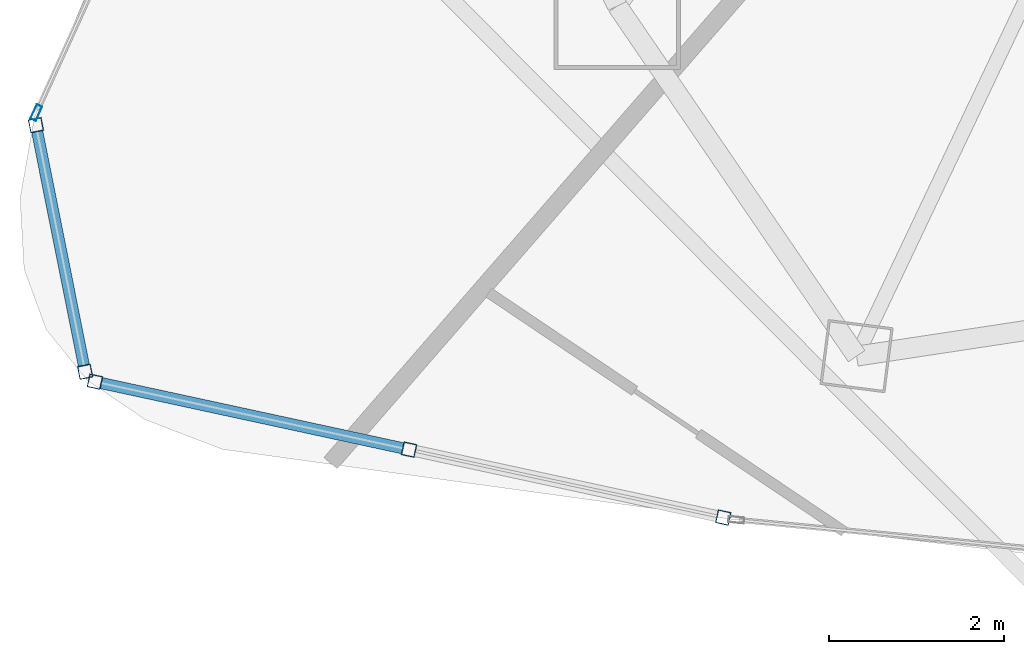
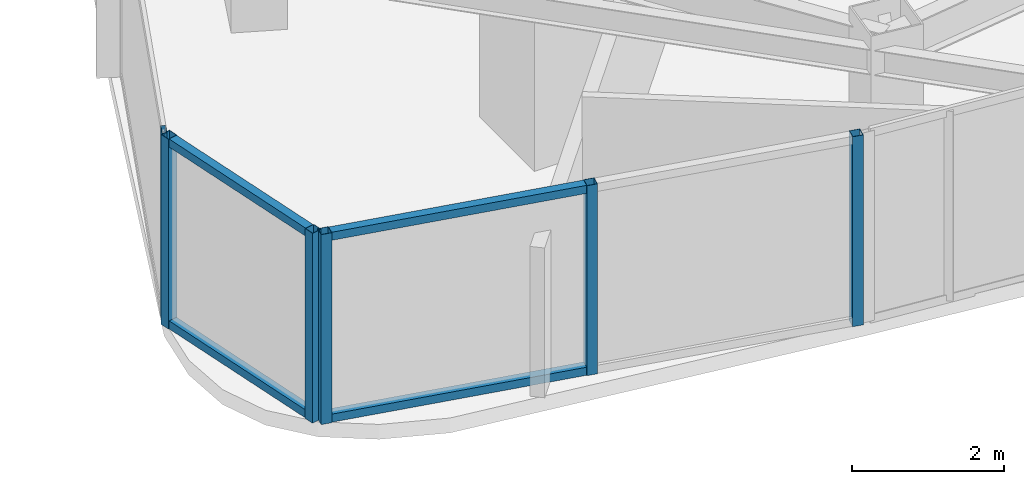
# One storey, part 2 of 30: 10 members, 3 elements without a shape of their own.
"""IFC4 building model written with IfcOpenShell, lengths in metres."""

from ifc_helpers import new_model, si_unit, direction, frame, origin, origin_2d, place, context, subcontext, project, spatial, hollow_rectangle, extrude, material, layer, layer_set, material_profile, profile_set, type_object, element, aggregate, save


model = new_model("IFC4")

# Units and contexts
model_context = context("Model", 3, precision=1e-05, world=origin(), true_north=direction((0.0, 1.0)))
body_context = subcontext(model_context, "Body", "Model", "MODEL_VIEW")
ifc_project = project(units=[si_unit("LENGTHUNIT", "METRE"), si_unit("AREAUNIT", "SQUARE_METRE"), si_unit("VOLUMEUNIT", "CUBIC_METRE"), si_unit("PLANEANGLEUNIT", "RADIAN"), si_unit("MASSUNIT", "GRAM", prefix="KILO")], contexts=[model_context])

# Site, building, storey
site_placement = place(None, origin())
site = spatial("IfcSite", under=ifc_project, at=site_placement, CompositionType="ELEMENT")
building_placement = place(site_placement, origin())
building = spatial("IfcBuilding", under=site, at=building_placement, Name="Orvanel Arch Residences", CompositionType="ELEMENT")
storey_placement = place(building_placement, frame((0.0, 0.0, 136.39990234375)))
storey = spatial("IfcBuildingStorey", under=building, at=storey_placement, Name="L38", CompositionType="ELEMENT", Elevation=136.39990234375)

# Curtain wall, members
ifc_material = material(Name="Bronze-anodised aluminium AA6063-T6", Category="aluminium")
ifc_layer_1 = layer(ifc_material, 0.18994140625)
ifc_layer_set_1 = layer_set([ifc_layer_1], Name="Bronze-anodised aluminium AA6063-T6")
curtain_wall_type_1 = type_object("IfcCurtainWallType", Name="CW5-CRN-SYS", PredefinedType="NOTDEFINED", material=ifc_layer_set_1)
curtain_wall_1_placement = place(storey_placement, origin())
curtain_wall_1 = element("IfcCurtainWall", 1, at=curtain_wall_1_placement, inside=storey, type_object=curtain_wall_type_1, Name="L38 CW5-CRN-SYS Unitised Curtain Wall", PredefinedType="NOTDEFINED")
ifc_material_profile_1 = material_profile(ifc_material, hollow_rectangle(XDim=0.14990234375, YDim=0.14990234375, WallThickness=0.0048828125, at=origin_2d()), Name="ALU150x150x5")
ifc_profile_set_1 = profile_set([ifc_material_profile_1], Name="Bronze-anodised aluminium AA6063-T6")
member_type_1 = type_object("IfcMemberType", Name="MUL-150x150", PredefinedType="MULLION", material=ifc_profile_set_1)
member_1_placement = place(storey_placement, frame((7.53759765625, 8.9853515625, 0.0), z_axis=(0.0, 0.0, 1.0), x_axis=(0.980682040612, 0.195608627675, 0.0)))
member_1 = element("IfcMember", 2, at=member_1_placement, type_object=member_type_1, Name="CW-S5 mullion 1", PredefinedType="MULLION", context=body_context, shape_type="SweptSolid", body=[
    extrude(hollow_rectangle(XDim=0.14990234375, YDim=0.14990234375, WallThickness=0.0048828125, at=origin_2d()), origin(), (0.0, 0.0, 1.0), 3.06005859375),
])
member_2_placement = place(storey_placement, frame((8.101318359375, 6.15966796875, 0.0), z_axis=(0.0, 0.0, 1.0), x_axis=(0.980682040612, 0.195608627675, 0.0)))
member_2 = element("IfcMember", 3, at=member_2_placement, type_object=member_type_1, Name="CW-S5 mullion 2", PredefinedType="MULLION", context=body_context, shape_type="SweptSolid", body=[
    extrude(hollow_rectangle(XDim=0.14990234375, YDim=0.14990234375, WallThickness=0.0048828125, at=origin_2d()), origin(), (0.0, 0.0, 1.0), 3.06005859375),
])

curtain_wall_2_placement = place(storey_placement, origin())
curtain_wall_2 = element("IfcCurtainWall", 4, at=curtain_wall_2_placement, inside=storey, type_object=curtain_wall_type_1, Name="L38 CW5-CRN-SYS Unitised Curtain Wall", PredefinedType="NOTDEFINED")
member_3_placement = place(storey_placement, frame((8.21337890625, 6.046142578125, 0.0), z_axis=(0.0, 0.0, 1.0), x_axis=(0.211391186041, 0.977401537989, 0.0)))
member_3 = element("IfcMember", 5, at=member_3_placement, type_object=member_type_1, Name="CW-S5 mullion 1", PredefinedType="MULLION", context=body_context, shape_type="SweptSolid", body=[
    extrude(hollow_rectangle(XDim=0.14990234375, YDim=0.14990234375, WallThickness=0.0048828125, at=origin_2d()), origin(), (0.0, 0.0, 1.0), 3.06005859375),
])
member_4_placement = place(storey_placement, frame((11.8134765625, 5.267578125, 0.0), z_axis=(0.0, 0.0, 1.0), x_axis=(0.211391186041, 0.977401537989, 0.0)))
member_4 = element("IfcMember", 6, at=member_4_placement, type_object=member_type_1, Name="CW-S5 mullion 2", PredefinedType="MULLION", context=body_context, shape_type="SweptSolid", body=[
    extrude(hollow_rectangle(XDim=0.14990234375, YDim=0.14990234375, WallThickness=0.0048828125, at=origin_2d()), origin(), (0.0, 0.0, 1.0), 3.06005859375),
])
member_5_placement = place(storey_placement, frame((15.41357421875, 4.48876953125, 0.0), z_axis=(0.0, 0.0, 1.0), x_axis=(0.211391186041, 0.977401537989, 0.0)))
member_5 = element("IfcMember", 7, at=member_5_placement, type_object=member_type_1, Name="CW-S5 mullion 3", PredefinedType="MULLION", context=body_context, shape_type="SweptSolid", body=[
    extrude(hollow_rectangle(XDim=0.14990234375, YDim=0.14990234375, WallThickness=0.0048828125, at=origin_2d()), origin(), (0.0, 0.0, 1.0), 3.06005859375),
])

# Curtain wall, member
ifc_layer_2 = layer(ifc_material, 0.179931640625)
ifc_layer_set_2 = layer_set([ifc_layer_2], Name="Bronze-anodised aluminium AA6063-T6")
curtain_wall_type_2 = type_object("IfcCurtainWallType", Name="CW3-MID-SYS", PredefinedType="NOTDEFINED", material=ifc_layer_set_2)
curtain_wall_3_placement = place(storey_placement, origin())
curtain_wall_3 = element("IfcCurtainWall", 8, at=curtain_wall_3_placement, inside=storey, type_object=curtain_wall_type_2, Name="L38 CW3-MID-SYS Unitised Curtain Wall", PredefinedType="NOTDEFINED")
ifc_material_profile_2 = material_profile(ifc_material, hollow_rectangle(XDim=0.070068359375, YDim=0.179931640625, WallThickness=0.00439453125, at=origin_2d()), Name="ALU180x70x4.5")
ifc_profile_set_2 = profile_set([ifc_material_profile_2], Name="Bronze-anodised aluminium AA6063-T6")
member_type_2 = type_object("IfcMemberType", Name="MUL-180x70", PredefinedType="MULLION", material=ifc_profile_set_2)
member_6_placement = place(storey_placement, frame((7.54150390625, 9.12890625, 0.0), z_axis=(0.0, 0.0, 1.0), x_axis=(0.910449142842, -0.413621032225, 0.0)))
member_6 = element("IfcMember", 9, at=member_6_placement, type_object=member_type_2, Name="CW-S3 mullion 4", PredefinedType="MULLION", context=body_context, shape_type="SweptSolid", body=[
    extrude(hollow_rectangle(XDim=0.070068359375, YDim=0.179931640625, WallThickness=0.00439453125, at=origin_2d()), origin(), (0.0, 0.0, 1.0), 3.06005859375),
])
aggregate(curtain_wall_3, [member_6])

# Member
ifc_material_profile_3 = material_profile(ifc_material, hollow_rectangle(XDim=0.1298828125, YDim=0.1298828125, WallThickness=0.00439453125, at=origin_2d()), Name="ALU130x130x4.5")
ifc_profile_set_3 = profile_set([ifc_material_profile_3], Name="Bronze-anodised aluminium AA6063-T6")
member_type_3 = type_object("IfcMemberType", Name="TRN-130x130", PredefinedType="USERDEFINED", material=ifc_profile_set_3)
member_7_placement = place(storey_placement, frame((7.55224609375, 8.911865234375, 0.065185546875), z_axis=(0.195652026594, -0.980673383186, 0.0), x_axis=(0.980673383186, 0.195652026594, 0.0)))
member_7 = element("IfcMember", 10, at=member_7_placement, type_object=member_type_3, Name="CW-S5 transom 1.1", ObjectType="TRANSOM", PredefinedType="USERDEFINED", context=body_context, shape_type="SweptSolid", body=[
    extrude(hollow_rectangle(XDim=0.1298828125, YDim=0.1298828125, WallThickness=0.00439453125, at=origin_2d()), origin(), (0.0, 0.0, 1.0), 2.7314453125),
])

member_8_placement = place(storey_placement, frame((7.55224609375, 8.911865234375, 2.9951171875), z_axis=(0.195652026594, -0.980673383186, 0.0), x_axis=(0.980673383186, 0.195652026594, 0.0)))
member_8 = element("IfcMember", 11, at=member_8_placement, type_object=member_type_3, Name="CW-S5 transom 1.2", ObjectType="TRANSOM", PredefinedType="USERDEFINED", context=body_context, shape_type="SweptSolid", body=[
    extrude(hollow_rectangle(XDim=0.1298828125, YDim=0.1298828125, WallThickness=0.00439453125, at=origin_2d()), origin(), (0.0, 0.0, 1.0), 2.7314453125),
])

aggregate(curtain_wall_1, [member_1, member_2, member_7, member_8])

member_9_placement = place(storey_placement, frame((8.28662109375, 6.0302734375, 0.065185546875), z_axis=(0.977408379086, -0.211359552639, 0.0), x_axis=(0.211359552639, 0.977408379086, 0.0)))
member_9 = element("IfcMember", 12, at=member_9_placement, type_object=member_type_3, Name="CW-S5 transom 1.1", ObjectType="TRANSOM", PredefinedType="USERDEFINED", context=body_context, shape_type="SweptSolid", body=[
    extrude(hollow_rectangle(XDim=0.1298828125, YDim=0.1298828125, WallThickness=0.00439453125, at=origin_2d()), origin(), (0.0, 0.0, 1.0), 3.533447265625),
])

member_10_placement = place(storey_placement, frame((8.28662109375, 6.0302734375, 2.9951171875), z_axis=(0.977408379086, -0.211359552639, 0.0), x_axis=(0.211359552639, 0.977408379086, 0.0)))
member_10 = element("IfcMember", 13, at=member_10_placement, type_object=member_type_3, Name="CW-S5 transom 1.2", ObjectType="TRANSOM", PredefinedType="USERDEFINED", context=body_context, shape_type="SweptSolid", body=[
    extrude(hollow_rectangle(XDim=0.1298828125, YDim=0.1298828125, WallThickness=0.00439453125, at=origin_2d()), origin(), (0.0, 0.0, 1.0), 3.533447265625),
])

aggregate(curtain_wall_2, [member_3, member_4, member_5, member_9, member_10])

save(model, "model.ifc")
